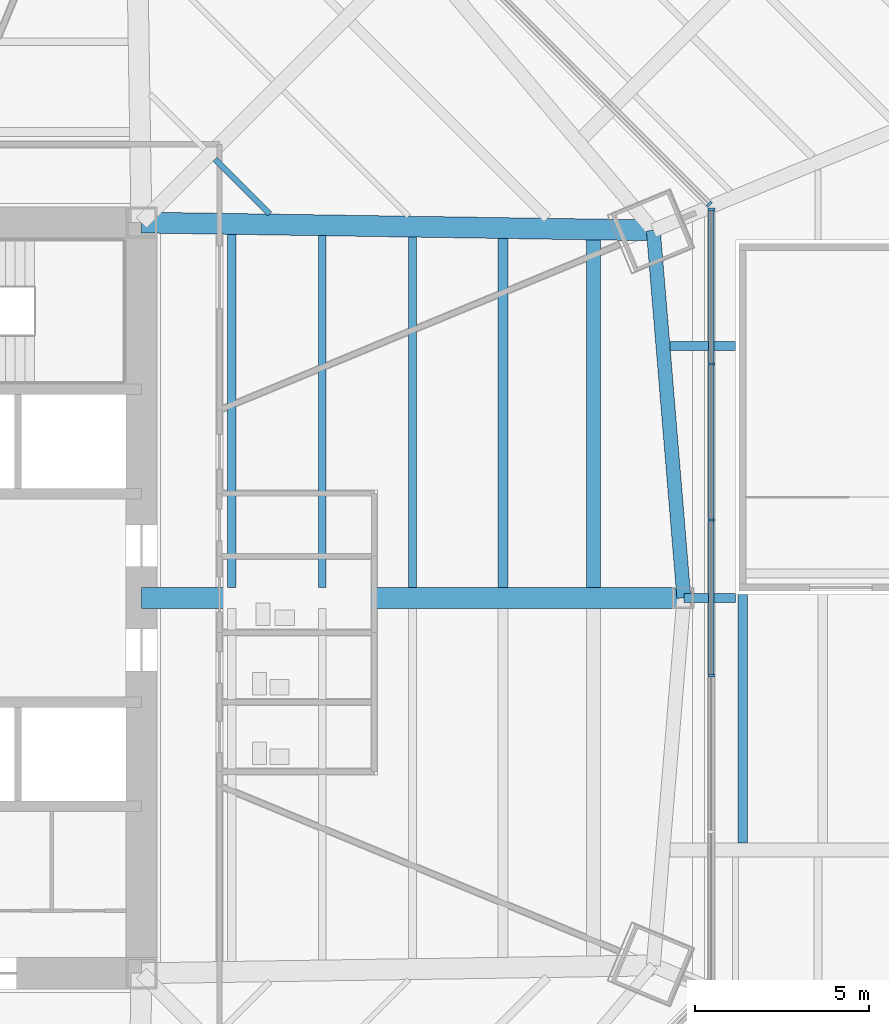
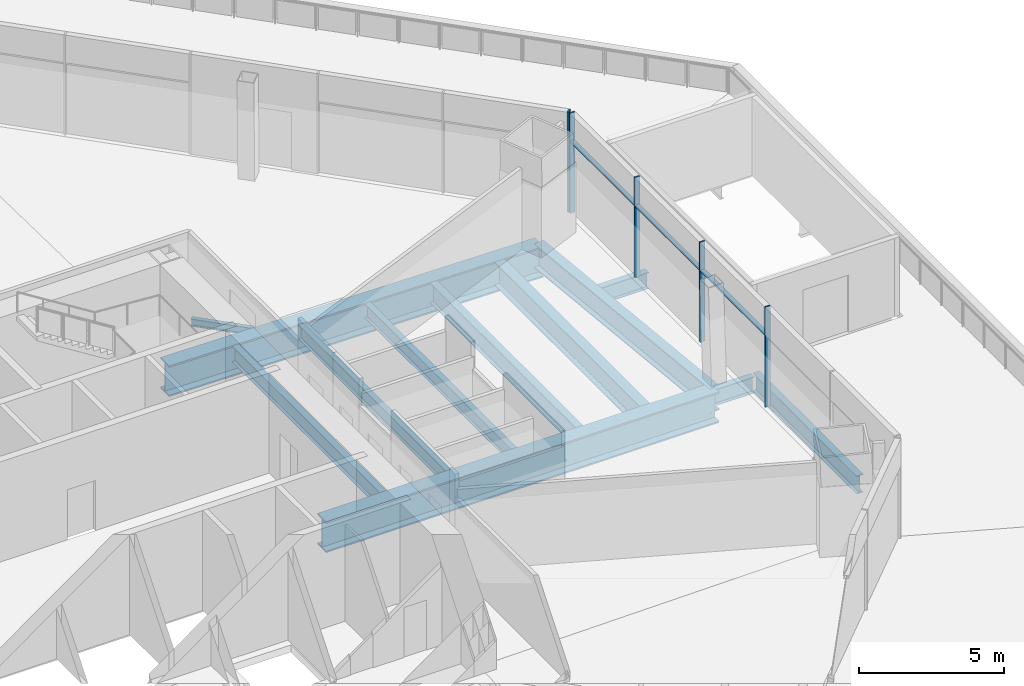
# One storey, part 10 of 25: 11 beams, 9 members, 2 elements without a shape of their own.
"""IFC4 building model written with IfcOpenShell, lengths in metres."""

from ifc_helpers import new_model, si_unit, direction, frame, origin, origin_2d, place, context, subcontext, project, spatial, rectangle, i_section, extrude, source, transform, mapped, material, material_profile, profile_set, type_object, type_shapes, element, aggregate, save


model = new_model("IFC4")

# Units and contexts
model_context = context("Model", 3, precision=1e-05, world=origin(), true_north=direction((0.0, 1.0)))
body_context = subcontext(model_context, "Body", "Model", "MODEL_VIEW")
ifc_project = project(units=[si_unit("LENGTHUNIT", "METRE"), si_unit("AREAUNIT", "SQUARE_METRE"), si_unit("VOLUMEUNIT", "CUBIC_METRE"), si_unit("PLANEANGLEUNIT", "RADIAN"), si_unit("MASSUNIT", "GRAM", prefix="KILO")], contexts=[model_context])

# Site, building, storey
site_placement = place(None, origin())
site = spatial("IfcSite", under=ifc_project, at=site_placement, CompositionType="ELEMENT")
building_placement = place(site_placement, origin())
building = spatial("IfcBuilding", under=site, at=building_placement, Name="Mashrafa Tower", CompositionType="ELEMENT")
storey_placement = place(building_placement, frame((0.0, 0.0, 28.800048828125)))
storey = spatial("IfcBuildingStorey", under=building, at=storey_placement, Name="L05", CompositionType="ELEMENT", Elevation=28.800048828125)

# Beams
ifc_material_1 = material(Name="Steel ASTM A572 Gr 50", Category="steel")
ifc_material_profile_1 = material_profile(ifc_material_1, i_section(OverallWidth=0.60009765625, OverallDepth=1.300048828125, WebThickness=0.028076171875, FlangeThickness=0.06494140625, at=origin_2d()), Name="H1300X600X28X65")
ifc_profile_set_1 = profile_set([ifc_material_profile_1], Name="Steel ASTM A572 Gr 50")
beam_type_1 = type_object("IfcBeamType", Name="Beam H1300X600X28X65", PredefinedType="BEAM", material=ifc_profile_set_1)
beam_1_placement = place(storey_placement, frame((10.800048828125, 0.0, -0.949951171875), z_axis=(1.0, 0.0, 0.0), x_axis=(0.0, 1.0, 0.0)))
element("IfcBeam", 1, at=beam_1_placement, inside=storey, type_object=beam_type_1, Name="Radial girder L05 245", PredefinedType="BEAM", context=body_context, shape_type="SweptSolid", body=[
    extrude(i_section(OverallWidth=0.60009765625, OverallDepth=1.300048828125, WebThickness=0.028076171875, FlangeThickness=0.06494140625, at=origin_2d()), origin(), (0.0, 0.0, 1.0), 15.6083984375),
])
beam_2_placement = place(storey_placement, frame((10.800048828125, 10.800048828125, -0.949951171875), z_axis=(0.99988326068, -0.015279561885, 0.0), x_axis=(0.015279561885, 0.99988326068, 0.0)))
element("IfcBeam", 2, at=beam_2_placement, inside=storey, type_object=beam_type_1, Name="Radial girder L05 248", PredefinedType="BEAM", context=body_context, shape_type="SweptSolid", body=[
    extrude(i_section(OverallWidth=0.60009765625, OverallDepth=1.300048828125, WebThickness=0.028076171875, FlangeThickness=0.06494140625, at=origin_2d()), origin(), (0.0, 0.0, 1.0), 14.73193359375),
])
ifc_material_2 = material(Name="Steel ASTM A992", Category="steel")
ifc_material_profile_2 = material_profile(ifc_material_2, i_section(OverallWidth=0.164794921875, OverallDepth=0.309814453125, WebThickness=0.005859375, FlangeThickness=0.009765625, FilletRadius=0.007568359375, at=origin_2d()), Name="W12X26")
ifc_profile_set_2 = profile_set([ifc_material_profile_2], Name="Steel ASTM A992")
beam_type_2 = type_object("IfcBeamType", Name="Beam W12X26", PredefinedType="BEAM", material=ifc_profile_set_2)
beam_3_placement = place(storey_placement, frame((12.9130859375, 12.623779296875, -0.455078125), z_axis=(0.707106781187, -0.707106781187, 0.0), x_axis=(0.707106781187, 0.707106781187, 0.0)))
element("IfcBeam", 3, at=beam_3_placement, inside=storey, type_object=beam_type_2, Name="Floor beam L05 096", PredefinedType="BEAM", context=body_context, shape_type="SweptSolid", body=[
    extrude(i_section(OverallWidth=0.164794921875, OverallDepth=0.309814453125, WebThickness=0.005859375, FlangeThickness=0.009765625, FilletRadius=0.007568359375, at=origin_2d()), origin(), (0.0, 0.0, 1.0), 2.234619140625),
])
ifc_material_3 = material(Name="Steel ASTM A992", Category="steel")
ifc_material_profile_3 = material_profile(ifc_material_3, i_section(OverallWidth=0.227783203125, OverallDepth=0.60205078125, WebThickness=0.010498046875, FlangeThickness=0.014892578125, FilletRadius=0.012939453125, at=origin_2d()), Name="W24X68")
ifc_profile_set_3 = profile_set([ifc_material_profile_3], Name="Steel ASTM A992")
beam_type_3 = type_object("IfcBeamType", Name="Beam W24X68", PredefinedType="BEAM", material=ifc_profile_set_3)
beam_4_placement = place(storey_placement, frame((16.002685546875, 10.42041015625, -0.60107421875), z_axis=(0.0, -1.0, 0.0), x_axis=(1.0, 0.0, 0.0)))
element("IfcBeam", 4, at=beam_4_placement, inside=storey, type_object=beam_type_3, Name="Floor beam L05 107", PredefinedType="BEAM", context=body_context, shape_type="SweptSolid", body=[
    extrude(i_section(OverallWidth=0.227783203125, OverallDepth=0.60205078125, WebThickness=0.010498046875, FlangeThickness=0.014892578125, FilletRadius=0.012939453125, at=origin_2d()), origin(), (0.0, 0.0, 1.0), 10.120361328125),
])
beam_5_placement = place(storey_placement, frame((18.604248046875, 10.380859375, -0.60107421875), z_axis=(0.0, -1.0, 0.0), x_axis=(1.0, 0.0, 0.0)))
element("IfcBeam", 5, at=beam_5_placement, inside=storey, type_object=beam_type_3, Name="Floor beam L05 115", PredefinedType="BEAM", context=body_context, shape_type="SweptSolid", body=[
    extrude(i_section(OverallWidth=0.227783203125, OverallDepth=0.60205078125, WebThickness=0.010498046875, FlangeThickness=0.014892578125, FilletRadius=0.012939453125, at=origin_2d()), origin(), (0.0, 0.0, 1.0), 10.080810546875),
])
ifc_material_4 = material(Name="Steel ASTM A992", Category="steel")
ifc_material_profile_4 = material_profile(ifc_material_4, i_section(OverallWidth=0.256591796875, OverallDepth=0.693359375, WebThickness=0.014404296875, FlangeThickness=0.023681640625, FilletRadius=0.01513671875, at=origin_2d()), Name="W27X114")
ifc_profile_set_4 = profile_set([ifc_material_profile_4], Name="Steel ASTM A992")
beam_type_4 = type_object("IfcBeamType", Name="Beam W27X114", PredefinedType="BEAM", material=ifc_profile_set_4)
beam_6_placement = place(storey_placement, frame((26.0078125, 7.248779296875, -0.646728515625), z_axis=(1.0, 0.0, 0.0), x_axis=(0.0, 1.0, 0.0)))
element("IfcBeam", 6, at=beam_6_placement, inside=storey, type_object=beam_type_4, Name="Podium radial beam L05 213", PredefinedType="BEAM", context=body_context, shape_type="SweptSolid", body=[
    extrude(i_section(OverallWidth=0.256591796875, OverallDepth=0.693359375, WebThickness=0.014404296875, FlangeThickness=0.023681640625, FilletRadius=0.01513671875, at=origin_2d()), origin(), (0.0, 0.0, 1.0), 1.89208984375),
])
ifc_material_5 = material(Name="Steel ASTM A992", Category="steel")
ifc_material_profile_5 = material_profile(ifc_material_5, i_section(OverallWidth=0.25390625, OverallDepth=0.67822265625, WebThickness=0.01171875, FlangeThickness=0.016357421875, FilletRadius=0.01513671875, at=origin_2d()), Name="W27X84")
ifc_profile_set_5 = profile_set([ifc_material_profile_5], Name="Steel ASTM A992")
beam_type_5 = type_object("IfcBeamType", Name="Beam W27X84", PredefinedType="BEAM", material=ifc_profile_set_5)
beam_7_placement = place(storey_placement, frame((13.4013671875, 10.460205078125, -0.63916015625), z_axis=(0.0, -1.0, 0.0), x_axis=(1.0, 0.0, 0.0)))
element("IfcBeam", 7, at=beam_7_placement, inside=storey, type_object=beam_type_5, Name="Floor beam L05 098", PredefinedType="BEAM", context=body_context, shape_type="SweptSolid", body=[
    extrude(i_section(OverallWidth=0.25390625, OverallDepth=0.67822265625, WebThickness=0.01171875, FlangeThickness=0.016357421875, FilletRadius=0.01513671875, at=origin_2d()), origin(), (0.0, 0.0, 1.0), 10.16015625),
])
ifc_material_6 = material(Name="Steel ASTM A992", Category="steel")
ifc_material_profile_6 = material_profile(ifc_material_6, i_section(OverallWidth=0.2666015625, OverallDepth=0.75439453125, WebThickness=0.01318359375, FlangeThickness=0.01708984375, FilletRadius=0.0166015625, at=origin_2d()), Name="W30X99")
ifc_profile_set_6 = profile_set([ifc_material_profile_6], Name="Steel ASTM A992")
beam_type_6 = type_object("IfcBeamType", Name="Beam W30X99", PredefinedType="BEAM", material=ifc_profile_set_6)
beam_8_placement = place(storey_placement, frame((28.10498046875, 0.10009765625, -0.67724609375), z_axis=(0.0, -1.0, 0.0), x_axis=(1.0, 0.0, 0.0)))
element("IfcBeam", 8, at=beam_8_placement, inside=storey, type_object=beam_type_6, Name="Floor beam L05 134", PredefinedType="BEAM", context=body_context, shape_type="SweptSolid", body=[
    extrude(i_section(OverallWidth=0.2666015625, OverallDepth=0.75439453125, WebThickness=0.01318359375, FlangeThickness=0.01708984375, FilletRadius=0.0166015625, at=origin_2d()), origin(), (0.0, 0.0, 1.0), 7.148193359375),
])
ifc_material_7 = material(Name="Steel ASTM A992", Category="steel")
ifc_material_profile_7 = material_profile(ifc_material_7, i_section(OverallWidth=0.2919921875, OverallDepth=0.845703125, WebThickness=0.015380859375, FlangeThickness=0.0244140625, FilletRadius=0.017333984375, at=origin_2d()), Name="W33X141")
ifc_profile_set_7 = profile_set([ifc_material_profile_7], Name="Steel ASTM A992")
beam_type_7 = type_object("IfcBeamType", Name="Beam W33X141", PredefinedType="BEAM", material=ifc_profile_set_7)
beam_9_placement = place(storey_placement, frame((21.205810546875, 10.341064453125, -0.722900390625), z_axis=(0.0, -1.0, 0.0), x_axis=(1.0, 0.0, 0.0)))
element("IfcBeam", 9, at=beam_9_placement, inside=storey, type_object=beam_type_7, Name="Floor beam L05 120", PredefinedType="BEAM", context=body_context, shape_type="SweptSolid", body=[
    extrude(i_section(OverallWidth=0.2919921875, OverallDepth=0.845703125, WebThickness=0.015380859375, FlangeThickness=0.0244140625, FilletRadius=0.017333984375, at=origin_2d()), origin(), (0.0, 0.0, 1.0), 10.041015625),
])
ifc_material_8 = material(Name="Steel ASTM A992", Category="steel")
ifc_material_profile_8 = material_profile(ifc_material_8, i_section(OverallWidth=0.4013671875, OverallDepth=0.98291015625, WebThickness=0.0166015625, FlangeThickness=0.027099609375, FilletRadius=0.0126953125, at=origin_2d()), Name="W40X199")
ifc_profile_set_8 = profile_set([ifc_material_profile_8], Name="Steel ASTM A992")
beam_type_8 = type_object("IfcBeamType", Name="Beam W40X199", PredefinedType="BEAM", material=ifc_profile_set_8)
beam_10_placement = place(storey_placement, frame((23.80712890625, 10.30126953125, -0.79150390625), z_axis=(0.0, -1.0, 0.0), x_axis=(1.0, 0.0, 0.0)))
element("IfcBeam", 10, at=beam_10_placement, inside=storey, type_object=beam_type_8, Name="Floor beam L05 127", PredefinedType="BEAM", context=body_context, shape_type="SweptSolid", body=[
    extrude(i_section(OverallWidth=0.4013671875, OverallDepth=0.98291015625, WebThickness=0.0166015625, FlangeThickness=0.027099609375, FilletRadius=0.0126953125, at=origin_2d()), origin(), (0.0, 0.0, 1.0), 10.001220703125),
])
ifc_material_9 = material(Name="Steel ASTM A992", Category="steel")
ifc_material_profile_9 = material_profile(ifc_material_9, i_section(OverallWidth=0.4013671875, OverallDepth=1.010986328125, WebThickness=0.023681640625, FlangeThickness=0.0419921875, FilletRadius=0.02001953125, at=origin_2d()), Name="W40X297")
ifc_profile_set_9 = profile_set([ifc_material_profile_9], Name="Steel ASTM A992")
beam_type_9 = type_object("IfcBeamType", Name="Beam W40X297", PredefinedType="BEAM", material=ifc_profile_set_9)
beam_11_placement = place(storey_placement, frame((26.408447265625, 0.0, -0.805419921875), z_axis=(-0.082757962037, 0.996569676299, 0.0), x_axis=(-0.996569676299, -0.082757962037, 0.0)))
element("IfcBeam", 11, at=beam_11_placement, inside=storey, type_object=beam_type_9, Name="Podium ring girder L05 232", PredefinedType="BEAM", context=body_context, shape_type="SweptSolid", body=[
    extrude(i_section(OverallWidth=0.4013671875, OverallDepth=1.010986328125, WebThickness=0.023681640625, FlangeThickness=0.0419921875, FilletRadius=0.02001953125, at=origin_2d()), origin(), (0.0, 0.0, 1.0), 10.611328125),
])

# Member
ifc_material_10 = material(Name="Steel ASTM A992", Category="steel")
ifc_material_profile_10 = material_profile(ifc_material_10, i_section(OverallWidth=0.25390625, OverallDepth=0.683349609375, WebThickness=0.012451171875, FlangeThickness=0.01904296875, FilletRadius=0.01513671875, at=origin_2d()), Name="W27X94")
ifc_profile_set_10 = profile_set([ifc_material_profile_10], Name="Steel ASTM A992")
member_type_1 = type_object("IfcMemberType", Name="Tie strut W27X94", PredefinedType="STRUT", material=ifc_profile_set_10)
shared_shape_1 = source(origin(), body_context, "Body", "SweptSolid", [
    extrude(i_section(OverallWidth=0.25390625, OverallDepth=0.683349609375, WebThickness=0.012451171875, FlangeThickness=0.01904296875, FilletRadius=0.01513671875, at=origin_2d()), origin(), (0.0, 0.0, 1.0), 1.491455078125),
])
type_shapes(member_type_1, [shared_shape_1])
member_1_placement = place(storey_placement, frame((26.408447265625, 0.0, -0.6416015625), z_axis=(1.0, 0.0, 0.0), x_axis=(0.0, 1.0, 0.0)))
element("IfcMember", 12, at=member_1_placement, inside=storey, type_object=member_type_1, Name="Tie strut L05 214", PredefinedType="STRUT", context=body_context, shape_type="MappedRepresentation", body=[
    mapped(shared_shape_1, transform((0.0, 0.0, 0.0))),
])

# Curtain wall, members
ifc_material_11 = material(Name="Unitised aluminium curtain wall", Category="aluminium")
curtain_wall_type = type_object("IfcCurtainWallType", Name="Office curtain wall, zone 1 CW-A 200 deep", PredefinedType="NOTDEFINED", material=ifc_material_11)
curtain_wall_1_placement = place(storey_placement, origin())
curtain_wall_1 = element("IfcCurtainWall", 13, at=curtain_wall_1_placement, inside=storey, type_object=curtain_wall_type, Name="Office curtain wall, zone 1 L05 east", PredefinedType="NOTDEFINED")
ifc_material_12 = material(Name="Extruded aluminium mullion", Category="aluminium")
ifc_material_profile_11 = material_profile(ifc_material_12, rectangle(XDim=0.199951171875, YDim=0.06494140625, at=origin_2d()), Name="Mullion 65x200")
ifc_profile_set_11 = profile_set([ifc_material_profile_11], Name="Extruded aluminium mullion")
member_type_2 = type_object("IfcMemberType", Name="Mullion CW-A 65 x 200", PredefinedType="MULLION", material=ifc_profile_set_11)
shared_shape_2 = source(origin(), body_context, "Body", "SweptSolid", [
    extrude(rectangle(XDim=0.199951171875, YDim=0.06494140625, at=origin_2d()), origin(), (0.0, 0.0, 1.0), 4.199951171875),
])
type_shapes(member_type_2, [shared_shape_2])
member_2_placement = place(storey_placement, frame((27.199951171875, -2.242919921875, 0.0), z_axis=(0.0, 0.0, 1.0), x_axis=(-1.0, 0.0, 0.0)))
member_2 = element("IfcMember", 14, at=member_2_placement, type_object=member_type_2, Name="CW-A mullion 3", PredefinedType="MULLION", context=body_context, shape_type="MappedRepresentation", body=[
    mapped(shared_shape_2, transform((0.0, 0.0, 0.0))),
])
member_3_placement = place(storey_placement, frame((27.199951171875, 2.242919921875, 0.0), z_axis=(0.0, 0.0, 1.0), x_axis=(-1.0, 0.0, 0.0)))
member_3 = element("IfcMember", 15, at=member_3_placement, type_object=member_type_2, Name="CW-A mullion 4", PredefinedType="MULLION", context=body_context, shape_type="MappedRepresentation", body=[
    mapped(shared_shape_2, transform((0.0, 0.0, 0.0))),
])
member_4_placement = place(storey_placement, frame((27.199951171875, 6.72900390625, 0.0), z_axis=(0.0, 0.0, 1.0), x_axis=(-1.0, 0.0, 0.0)))
member_4 = element("IfcMember", 16, at=member_4_placement, type_object=member_type_2, Name="CW-A mullion 5", PredefinedType="MULLION", context=body_context, shape_type="MappedRepresentation", body=[
    mapped(shared_shape_2, transform((0.0, 0.0, 0.0))),
])
member_5_placement = place(storey_placement, frame((27.199951171875, 11.1826171875, 0.0), z_axis=(0.0, 0.0, 1.0), x_axis=(-1.0, 0.0, 0.0)))
member_5 = element("IfcMember", 17, at=member_5_placement, type_object=member_type_2, Name="CW-A mullion 6", PredefinedType="MULLION", context=body_context, shape_type="MappedRepresentation", body=[
    mapped(shared_shape_2, transform((0.0, 0.0, 0.0))),
])

# Curtain wall, member
curtain_wall_2_placement = place(storey_placement, origin())
curtain_wall_2 = element("IfcCurtainWall", 18, at=curtain_wall_2_placement, inside=storey, type_object=curtain_wall_type, Name="Office curtain wall, zone 1 L05 north-east part 1", PredefinedType="NOTDEFINED")
member_6_placement = place(storey_placement, frame((27.140625, 11.325927734375, 0.0), z_axis=(0.0, 0.0, 1.0), x_axis=(-0.707106781187, -0.707106781187, 0.0)))
member_6 = element("IfcMember", 19, at=member_6_placement, type_object=member_type_2, Name="CW-A mullion 1", PredefinedType="MULLION", context=body_context, shape_type="MappedRepresentation", body=[
    mapped(shared_shape_2, transform((0.0, 0.0, 0.0))),
])
aggregate(curtain_wall_2, [member_6])

# Member
ifc_material_13 = material(Name="Extruded aluminium transom", Category="aluminium")
ifc_material_profile_12 = material_profile(ifc_material_13, rectangle(XDim=0.159912109375, YDim=0.080078125, at=origin_2d()), Name="Transom 80x160")
ifc_profile_set_12 = profile_set([ifc_material_profile_12], Name="Extruded aluminium transom")
member_type_3 = type_object("IfcMemberType", Name="Transom CW-A 80 x 160", PredefinedType="MULLION", material=ifc_profile_set_12)
shared_shape_3 = source(origin(), body_context, "Body", "SweptSolid", [
    extrude(rectangle(XDim=0.159912109375, YDim=0.080078125, at=origin_2d()), origin(), (0.0, 0.0, 1.0), 4.388427734375),
])
member_7_placement = place(storey_placement, frame((27.199951171875, 6.76171875, 3.0), z_axis=(0.0, 1.0, 0.0), x_axis=(-1.0, 0.0, 0.0)))
member_7 = element("IfcMember", 20, at=member_7_placement, type_object=member_type_3, Name="CW-A transom 5", PredefinedType="MULLION", context=body_context, shape_type="MappedRepresentation", body=[
    mapped(shared_shape_3, transform((0.0, 0.0, 0.0))),
])

shared_shape_4 = source(origin(), body_context, "Body", "SweptSolid", [
    extrude(rectangle(XDim=0.159912109375, YDim=0.080078125, at=origin_2d()), origin(), (0.0, 0.0, 1.0), 4.4208984375),
])
type_shapes(member_type_3, [shared_shape_3, shared_shape_4])
member_8_placement = place(storey_placement, frame((27.199951171875, -2.21044921875, 3.0), z_axis=(0.0, 1.0, 0.0), x_axis=(-1.0, 0.0, 0.0)))
member_8 = element("IfcMember", 21, at=member_8_placement, type_object=member_type_3, Name="CW-A transom 3", PredefinedType="MULLION", context=body_context, shape_type="MappedRepresentation", body=[
    mapped(shared_shape_4, transform((0.0, 0.0, 0.0))),
])

member_9_placement = place(storey_placement, frame((27.199951171875, 2.275634765625, 3.0), z_axis=(0.0, 1.0, 0.0), x_axis=(-1.0, 0.0, 0.0)))
member_9 = element("IfcMember", 22, at=member_9_placement, type_object=member_type_3, Name="CW-A transom 4", PredefinedType="MULLION", context=body_context, shape_type="MappedRepresentation", body=[
    mapped(shared_shape_4, transform((0.0, 0.0, 0.0))),
])

aggregate(curtain_wall_1, [member_2, member_3, member_4, member_5, member_8, member_9, member_7])

save(model, "model.ifc")
